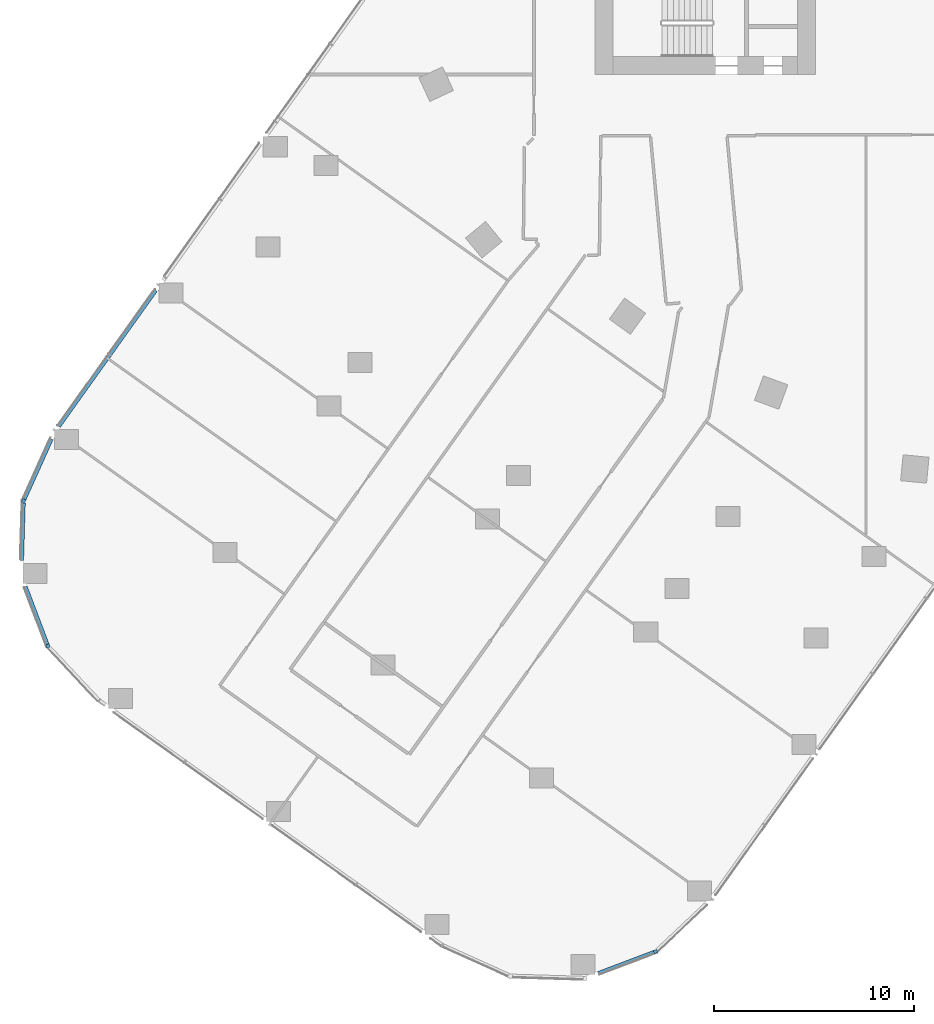
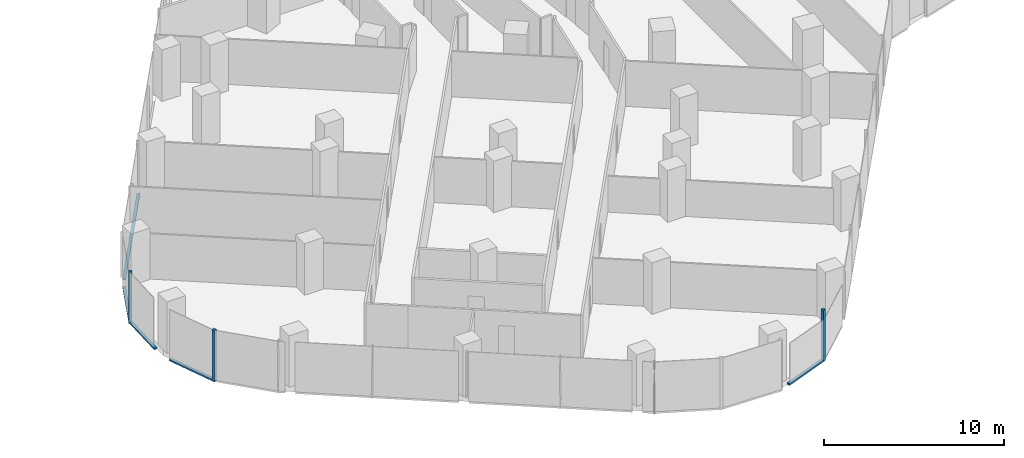
# One storey, part 3 of 31: 8 members, 5 elements without a shape of their own.
"""IFC4 building model written with IfcOpenShell, lengths in metres."""

from ifc_helpers import new_model, si_unit, direction, frame, origin, origin_2d, place, context, subcontext, project, spatial, rectangle, extrude, material, material_profile, profile_set, type_object, element, aggregate, save


model = new_model("IFC4")

# Units and contexts
model_context = context("Model", 3, precision=1e-05, world=origin(), true_north=direction((0.0, 1.0)))
body_context = subcontext(model_context, "Body", "Model", "MODEL_VIEW")
ifc_project = project(units=[si_unit("LENGTHUNIT", "METRE"), si_unit("AREAUNIT", "SQUARE_METRE"), si_unit("VOLUMEUNIT", "CUBIC_METRE"), si_unit("PLANEANGLEUNIT", "RADIAN"), si_unit("MASSUNIT", "GRAM", prefix="KILO")], contexts=[model_context])

# Site, building, storey
site_placement = place(None, origin())
site = spatial("IfcSite", under=ifc_project, at=site_placement, CompositionType="ELEMENT")
building_placement = place(site_placement, origin())
building = spatial("IfcBuilding", under=site, at=building_placement, Name="Orlundy Tower", CompositionType="ELEMENT")
storey_placement = place(building_placement, frame((0.0, 0.0, 94.699951171875)))
storey = spatial("IfcBuildingStorey", under=building, at=storey_placement, Name="L23", CompositionType="ELEMENT", Elevation=94.699951171875)

# Curtain wall, member
ifc_material_1 = material(Name="Aluminium bronze anodised", Category="aluminium")
curtain_wall_type = type_object("IfcCurtainWallType", Name="CW1 wall", PredefinedType="NOTDEFINED", material=ifc_material_1)
curtain_wall_1_placement = place(storey_placement, origin())
curtain_wall_1 = element("IfcCurtainWall", 1, at=curtain_wall_1_placement, inside=storey, type_object=curtain_wall_type, Name="CW1 run 020", PredefinedType="NOTDEFINED")
ifc_material_2 = material(Name="Aluminium bronze anodised", Category="aluminium")
ifc_material_profile_1 = material_profile(ifc_material_2, rectangle(XDim=0.179931640625, YDim=0.179931640625, at=origin_2d()), Name="CW1 corner post 180x180")
ifc_profile_set_1 = profile_set([ifc_material_profile_1], Name="Aluminium bronze anodised")
member_type_1 = type_object("IfcMemberType", Name="CW1 corner post 180x180", PredefinedType="MULLION", material=ifc_profile_set_1)
member_1_placement = place(storey_placement, frame((-15.984375, -55.751708984375, -0.39990234375), z_axis=(0.0, 0.0, 1.0), x_axis=(0.354166301715, -0.935182458523, 0.0)))
member_1 = element("IfcMember", 2, at=member_1_placement, type_object=member_type_1, Name="CW1 mullion 58", PredefinedType="MULLION", context=body_context, shape_type="SweptSolid", body=[
    extrude(rectangle(XDim=0.179931640625, YDim=0.179931640625, at=origin_2d()), origin(), (0.0, 0.0, 1.0), 3.5),
])

curtain_wall_2_placement = place(storey_placement, origin())
curtain_wall_2 = element("IfcCurtainWall", 3, at=curtain_wall_2_placement, inside=storey, type_object=curtain_wall_type, Name="CW1 run 025", PredefinedType="NOTDEFINED")
member_2_placement = place(storey_placement, frame((-46.298828125, -40.505615234375, -0.39990234375), z_axis=(0.0, 0.0, 1.0), x_axis=(-0.935182458523, -0.354166301715, 0.0)))
member_2 = element("IfcMember", 4, at=member_2_placement, type_object=member_type_1, Name="CW1 mullion 66", PredefinedType="MULLION", context=body_context, shape_type="SweptSolid", body=[
    extrude(rectangle(XDim=0.179931640625, YDim=0.179931640625, at=origin_2d()), origin(), (0.0, 0.0, 1.0), 3.5),
])

curtain_wall_3_placement = place(storey_placement, origin())
curtain_wall_3 = element("IfcCurtainWall", 5, at=curtain_wall_3_placement, inside=storey, type_object=curtain_wall_type, Name="CW1 run 027", PredefinedType="NOTDEFINED")
member_3_placement = place(storey_placement, frame((-47.510498046875, -33.264404296875, -0.39990234375), z_axis=(0.0, 0.0, 1.0), x_axis=(-0.911673970719, 0.410914311157, 0.0)))
member_3 = element("IfcMember", 6, at=member_3_placement, type_object=member_type_1, Name="CW1 mullion 68", PredefinedType="MULLION", context=body_context, shape_type="SweptSolid", body=[
    extrude(rectangle(XDim=0.179931640625, YDim=0.179931640625, at=origin_2d()), origin(), (0.0, 0.0, 1.0), 3.5),
])

curtain_wall_4_placement = place(storey_placement, origin())
curtain_wall_4 = element("IfcCurtainWall", 7, at=curtain_wall_4_placement, inside=storey, type_object=curtain_wall_type, Name="CW1 run 00", PredefinedType="NOTDEFINED")
ifc_material_3 = material(Name="Aluminium bronze anodised", Category="aluminium")
ifc_material_profile_2 = material_profile(ifc_material_3, rectangle(XDim=0.179931640625, YDim=0.1201171875, at=origin_2d()), Name="CW1 transom 180x120")
ifc_profile_set_2 = profile_set([ifc_material_profile_2], Name="Aluminium bronze anodised")
member_type_2 = type_object("IfcMemberType", Name="CW1 transom 180x120", PredefinedType="USERDEFINED", material=ifc_profile_set_2)
member_4_placement = place(storey_placement, frame((-45.754638671875, -29.550048828125, -0.33984375), z_axis=(0.580695047202, 0.814121159383, 0.0), x_axis=(-0.814121159383, 0.580695047202, 0.0)))
member_4 = element("IfcMember", 8, at=member_4_placement, type_object=member_type_2, Name="CW1 transom", ObjectType="TRANSOM", PredefinedType="USERDEFINED", context=body_context, shape_type="SweptSolid", body=[
    extrude(rectangle(XDim=0.179931640625, YDim=0.1201171875, at=origin_2d()), origin(), (0.0, 0.0, 1.0), 8.3359375),
])
aggregate(curtain_wall_4, [member_4])

# Member
member_5_placement = place(storey_placement, frame((-16.068603515625, -55.78369140625, -0.33984375), z_axis=(-0.935187055294, -0.354154163621, 0.0), x_axis=(0.354154163621, -0.935187055294, 0.0)))
member_5 = element("IfcMember", 9, at=member_5_placement, type_object=member_type_2, Name="CW1 transom", ObjectType="TRANSOM", PredefinedType="USERDEFINED", context=body_context, shape_type="SweptSolid", body=[
    extrude(rectangle(XDim=0.179931640625, YDim=0.1201171875, at=origin_2d()), origin(), (0.0, 0.0, 1.0), 2.97314453125),
])

aggregate(curtain_wall_1, [member_1, member_5])

member_6_placement = place(storey_placement, frame((-46.330810546875, -40.42138671875, -0.33984375), z_axis=(-0.354161942738, 0.935184109315, 0.0), x_axis=(-0.935184109315, -0.354161942738, 0.0)))
member_6 = element("IfcMember", 10, at=member_6_placement, type_object=member_type_2, Name="CW1 transom", ObjectType="TRANSOM", PredefinedType="USERDEFINED", context=body_context, shape_type="SweptSolid", body=[
    extrude(rectangle(XDim=0.179931640625, YDim=0.1201171875, at=origin_2d()), origin(), (0.0, 0.0, 1.0), 3.080078125),
])

aggregate(curtain_wall_2, [member_2, member_6])

# Curtain wall, member
curtain_wall_5_placement = place(storey_placement, origin())
curtain_wall_5 = element("IfcCurtainWall", 11, at=curtain_wall_5_placement, inside=storey, type_object=curtain_wall_type, Name="CW1 run 026", PredefinedType="NOTDEFINED")
member_7_placement = place(storey_placement, frame((-47.601318359375, -36.240966796875, -0.33984375), z_axis=(0.030512370061, 0.99953438924, 0.0), x_axis=(-0.99953438924, 0.030512370061, 0.0)))
member_7 = element("IfcMember", 12, at=member_7_placement, type_object=member_type_2, Name="CW1 transom", ObjectType="TRANSOM", PredefinedType="USERDEFINED", context=body_context, shape_type="SweptSolid", body=[
    extrude(rectangle(XDim=0.179931640625, YDim=0.1201171875, at=origin_2d()), origin(), (0.0, 0.0, 1.0), 2.88037109375),
])
aggregate(curtain_wall_5, [member_7])

# Member
member_8_placement = place(storey_placement, frame((-47.473388671875, -33.182373046875, -0.33984375), z_axis=(0.4108611797, 0.911697916536, 0.0), x_axis=(-0.911697916536, 0.4108611797, 0.0)))
member_8 = element("IfcMember", 13, at=member_8_placement, type_object=member_type_2, Name="CW1 transom", ObjectType="TRANSOM", PredefinedType="USERDEFINED", context=body_context, shape_type="SweptSolid", body=[
    extrude(rectangle(XDim=0.179931640625, YDim=0.1201171875, at=origin_2d()), origin(), (0.0, 0.0, 1.0), 3.291259765625),
])

aggregate(curtain_wall_3, [member_3, member_8])

save(model, "model.ifc")
